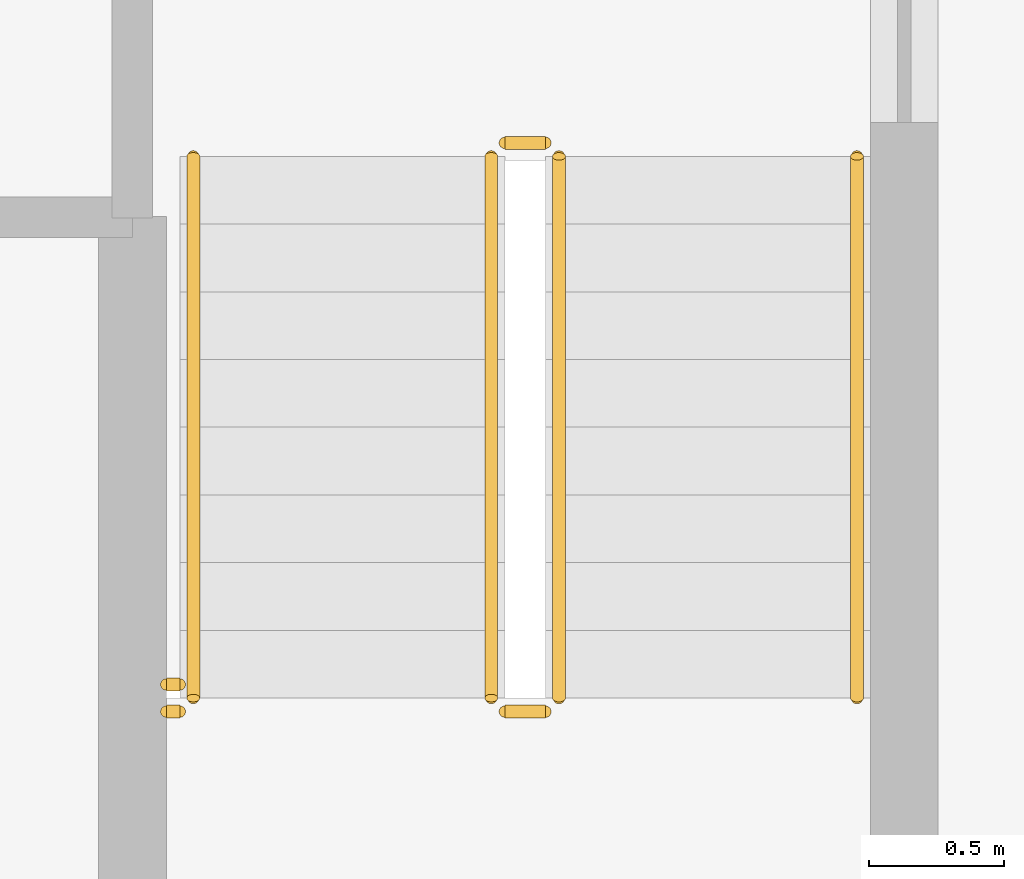
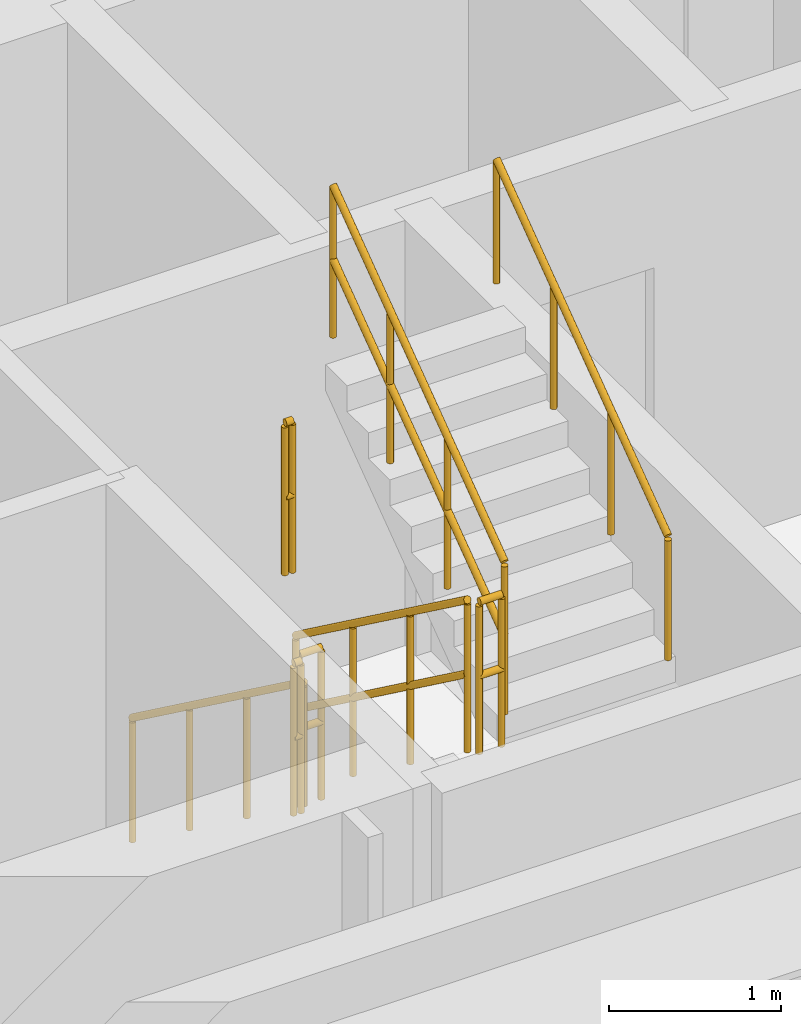
# One storey, part 13 of 15: 8 railings.
"""IFC4 building model written with IfcOpenShell, lengths in metres."""

from ifc_helpers import new_model, si_unit, direction, frame, origin, origin_2d, place, context, subcontext, project, spatial, circle, extrude, material, type_object, element, save


model = new_model("IFC4")

# Units and contexts
model_context = context("Model", 3, precision=1e-05, world=origin(), true_north=direction((0.0, 1.0)))
body_context = subcontext(model_context, "Body", "Model", "MODEL_VIEW")
ifc_project = project(units=[si_unit("LENGTHUNIT", "METRE"), si_unit("AREAUNIT", "SQUARE_METRE"), si_unit("VOLUMEUNIT", "CUBIC_METRE"), si_unit("PLANEANGLEUNIT", "RADIAN"), si_unit("MASSUNIT", "GRAM", prefix="KILO")], contexts=[model_context])

# Site, building, storey
site_placement = place(None, origin())
site = spatial("IfcSite", under=ifc_project, at=site_placement, CompositionType="ELEMENT")
building_placement = place(site_placement, origin())
building = spatial("IfcBuilding", under=site, at=building_placement, Name="Nakaniwa Court", CompositionType="ELEMENT")
storey_placement = place(building_placement, frame((0.0, 0.0, 189.89990234375)))
storey = spatial("IfcBuildingStorey", under=building, at=storey_placement, Name="L49", CompositionType="ELEMENT", Elevation=189.89990234375)

# Railings
ifc_material_1 = material(Name="Black powder coated steel guard", Category="steel")
railing_type_1 = type_object("IfcRailingType", Name="Stair guard 1100", PredefinedType="GUARDRAIL", material=ifc_material_1)
railing_1_placement = place(storey_placement, frame((81.875, 61.824951171875, 0.183349609375)))
element("IfcRailing", 1, at=railing_1_placement, inside=storey, type_object=railing_type_1, Name="L49 ST4 stair guard 1", PredefinedType="GUARDRAIL", context=body_context, shape_type="SweptSolid", body=[
    extrude(circle(Radius=0.02392578125, at=origin_2d()), frame((0.0, 0.0, 1.076171875), z_axis=(0.0, -0.806379959628, 0.591397802423), x_axis=(1.0, 0.0, 0.0)), (0.0, 0.0, 1.0), 2.480224609375),
    extrude(circle(Radius=0.02392578125, at=origin_2d()), frame((0.0, 0.0, 0.550048828125), z_axis=(0.0, -0.806379959628, 0.591397802423), x_axis=(1.0, 0.0, 0.0)), (0.0, 0.0, 1.0), 2.480224609375),
    extrude(circle(Radius=0.02099609375, at=origin_2d()), origin(), (0.0, 0.0, 1.0), 1.052001953125),
    extrude(circle(Radius=0.02099609375, at=origin_2d()), frame((0.0, -0.666748046875, 0.489013671875)), (0.0, 0.0, 1.0), 1.052001953125),
    extrude(circle(Radius=0.02099609375, at=origin_2d()), frame((0.0, -1.333251953125, 0.977783203125)), (0.0, 0.0, 1.0), 1.052001953125),
    extrude(circle(Radius=0.02099609375, at=origin_2d()), frame((0.0, -2.0, 1.466796875)), (0.0, 0.0, 1.0), 1.052001953125),
])
railing_2_placement = place(storey_placement, frame((81.925048828125, 59.77490234375, 1.650146484375)))
element("IfcRailing", 2, at=railing_2_placement, inside=storey, type_object=railing_type_1, Name="L49 ST4 stair guard 2", PredefinedType="GUARDRAIL", context=body_context, shape_type="SweptSolid", body=[
    extrude(circle(Radius=0.02392578125, at=origin_2d()), frame((0.0, 0.0, 1.076171875), z_axis=(1.0, 0.0, 0.0), x_axis=(0.0, 1.0, 0.0)), (0.0, 0.0, 1.0), 0.14990234375),
    extrude(circle(Radius=0.02392578125, at=origin_2d()), frame((0.0, 0.0, 0.550048828125), z_axis=(1.0, 0.0, 0.0), x_axis=(0.0, 1.0, 0.0)), (0.0, 0.0, 1.0), 0.14990234375),
    extrude(circle(Radius=0.02099609375, at=origin_2d()), origin(), (0.0, 0.0, 1.0), 1.052001953125),
    extrude(circle(Radius=0.02099609375, at=origin_2d()), frame((0.14990234375, 0.0, 0.0)), (0.0, 0.0, 1.0), 1.052001953125),
])
railing_3_placement = place(storey_placement, frame((82.125, 59.824951171875, 1.83349609375)))
element("IfcRailing", 3, at=railing_3_placement, inside=storey, type_object=railing_type_1, Name="L49 ST4 stair guard 3", PredefinedType="GUARDRAIL", context=body_context, shape_type="SweptSolid", body=[
    extrude(circle(Radius=0.02392578125, at=origin_2d()), frame((0.0, 0.0, 1.076171875), z_axis=(0.0, 0.806426902644, 0.591333789573), x_axis=(-1.0, 0.0, 0.0)), (0.0, 0.0, 1.0), 2.47998046875),
    extrude(circle(Radius=0.02392578125, at=origin_2d()), frame((0.0, 0.0, 0.550048828125), z_axis=(0.0, 0.806426902644, 0.591333789573), x_axis=(-1.0, 0.0, 0.0)), (0.0, 0.0, 1.0), 2.47998046875),
    extrude(circle(Radius=0.02099609375, at=origin_2d()), origin(), (0.0, 0.0, 1.0), 1.052001953125),
    extrude(circle(Radius=0.02099609375, at=origin_2d()), frame((0.0, 0.666748046875, 0.48876953125)), (0.0, 0.0, 1.0), 1.052001953125),
    extrude(circle(Radius=0.02099609375, at=origin_2d()), frame((0.0, 1.333251953125, 0.977783203125)), (0.0, 0.0, 1.0), 1.052001953125),
    extrude(circle(Radius=0.02099609375, at=origin_2d()), frame((0.0, 2.0, 1.466552734375)), (0.0, 0.0, 1.0), 1.052001953125),
])
railing_4_placement = place(storey_placement, frame((81.925048828125, 61.875, 0.0)))
element("IfcRailing", 4, at=railing_4_placement, inside=storey, type_object=railing_type_1, Name="L49 ST4 stair guard 4", PredefinedType="GUARDRAIL", context=body_context, shape_type="SweptSolid", body=[
    extrude(circle(Radius=0.02392578125, at=origin_2d()), frame((0.0, 0.0, 1.076171875), z_axis=(1.0, 0.0, 0.0), x_axis=(0.0, 1.0, 0.0)), (0.0, 0.0, 1.0), 0.14990234375),
    extrude(circle(Radius=0.02392578125, at=origin_2d()), frame((0.0, 0.0, 0.550048828125), z_axis=(1.0, 0.0, 0.0), x_axis=(0.0, 1.0, 0.0)), (0.0, 0.0, 1.0), 0.14990234375),
    extrude(circle(Radius=0.02099609375, at=origin_2d()), origin(), (0.0, 0.0, 1.0), 1.052001953125),
    extrude(circle(Radius=0.02099609375, at=origin_2d()), frame((0.14990234375, 0.0, 0.0)), (0.0, 0.0, 1.0), 1.052001953125),
])
for number, where, name in (
    (5, (80.675048828125, 59.77490234375, 1.650146484375), "L49 ST4 landing side guard 1W"),
    (6, (80.675048828125, 59.875, 3.300048828125), "L49 ST4 floor edge guard 1W"),
):
    element("IfcRailing", number, at=place(storey_placement, frame(where)), inside=storey, type_object=railing_type_1, Name=name, PredefinedType="GUARDRAIL", context=body_context, shape_type="SweptSolid", body=[
        extrude(circle(Radius=0.02392578125, at=origin_2d()), frame((0.0, 0.0, 1.076171875), z_axis=(1.0, 0.0, 0.0), x_axis=(0.0, 1.0, 0.0)), (0.0, 0.0, 1.0), 0.050048828125),
        extrude(circle(Radius=0.02392578125, at=origin_2d()), frame((0.0, 0.0, 0.550048828125), z_axis=(1.0, 0.0, 0.0), x_axis=(0.0, 1.0, 0.0)), (0.0, 0.0, 1.0), 0.050048828125),
        extrude(circle(Radius=0.02099609375, at=origin_2d()), origin(), (0.0, 0.0, 1.0), 1.052001953125),
        extrude(circle(Radius=0.02099609375, at=origin_2d()), frame((0.050048828125, 0.0, 0.0)), (0.0, 0.0, 1.0), 1.052001953125),
    ])
ifc_material_2 = material(Name="Black powder coated steel handrail", Category="steel")
railing_type_2 = type_object("IfcRailingType", Name="Stair handrail 900", PredefinedType="HANDRAIL", material=ifc_material_2)
railing_5_placement = place(storey_placement, frame((80.77490234375, 61.824951171875, 0.183349609375)))
element("IfcRailing", 7, at=railing_5_placement, inside=storey, type_object=railing_type_2, Name="L49 ST4 stair handrail 1", PredefinedType="HANDRAIL", context=body_context, shape_type="SweptSolid", body=[
    extrude(circle(Radius=0.02392578125, at=origin_2d()), frame((0.0, 0.0, 0.8759765625), z_axis=(0.0, -0.806379959628, 0.591397802423), x_axis=(1.0, 0.0, 0.0)), (0.0, 0.0, 1.0), 2.480224609375),
    extrude(circle(Radius=0.02099609375, at=origin_2d()), origin(), (0.0, 0.0, 1.0), 0.851806640625),
    extrude(circle(Radius=0.02099609375, at=origin_2d()), frame((0.0, -0.666748046875, 0.489013671875)), (0.0, 0.0, 1.0), 0.851806640625),
    extrude(circle(Radius=0.02099609375, at=origin_2d()), frame((0.0, -1.333251953125, 0.977783203125)), (0.0, 0.0, 1.0), 0.851806640625),
    extrude(circle(Radius=0.02099609375, at=origin_2d()), frame((0.0, -2.0, 1.466796875)), (0.0, 0.0, 1.0), 0.851806640625),
])
railing_6_placement = place(storey_placement, frame((83.22509765625, 59.824951171875, 1.83349609375)))
element("IfcRailing", 8, at=railing_6_placement, inside=storey, type_object=railing_type_2, Name="L49 ST4 stair handrail 2", PredefinedType="HANDRAIL", context=body_context, shape_type="SweptSolid", body=[
    extrude(circle(Radius=0.02392578125, at=origin_2d()), frame((0.0, 0.0, 0.8759765625), z_axis=(0.0, 0.806426902644, 0.591333789573), x_axis=(-1.0, 0.0, 0.0)), (0.0, 0.0, 1.0), 2.47998046875),
    extrude(circle(Radius=0.02099609375, at=origin_2d()), origin(), (0.0, 0.0, 1.0), 0.851806640625),
    extrude(circle(Radius=0.02099609375, at=origin_2d()), frame((0.0, 0.666748046875, 0.48876953125)), (0.0, 0.0, 1.0), 0.851806640625),
    extrude(circle(Radius=0.02099609375, at=origin_2d()), frame((0.0, 1.333251953125, 0.977783203125)), (0.0, 0.0, 1.0), 0.851806640625),
    extrude(circle(Radius=0.02099609375, at=origin_2d()), frame((0.0, 2.0, 1.466552734375)), (0.0, 0.0, 1.0), 0.851806640625),
])

save(model, "model.ifc")
